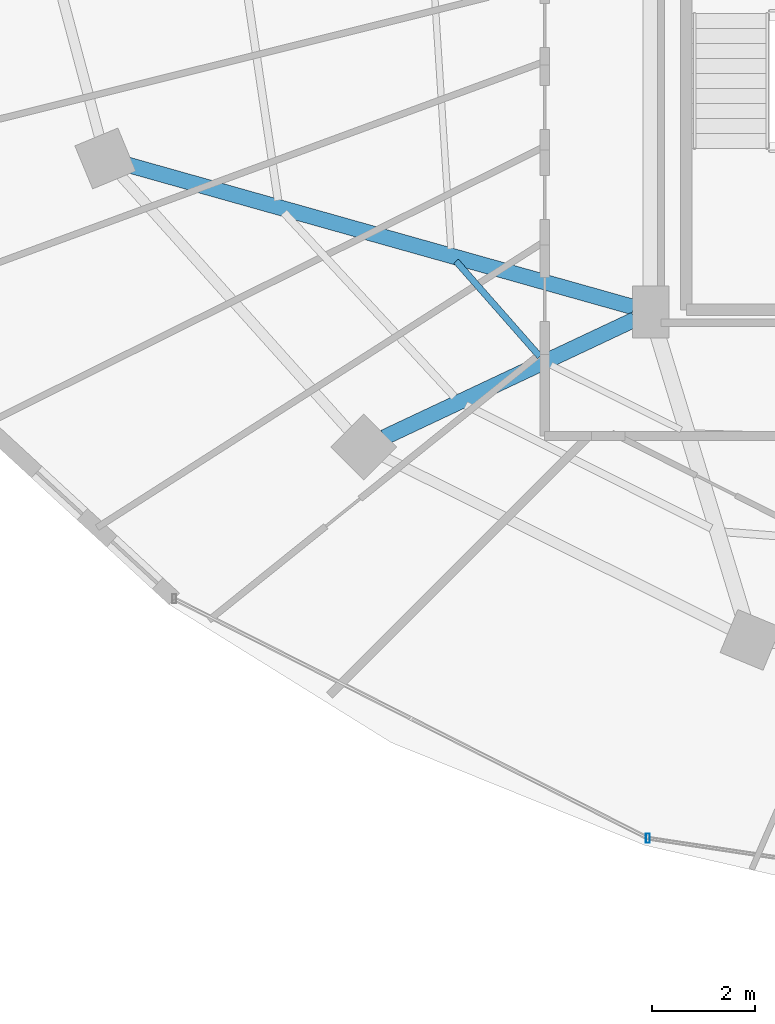
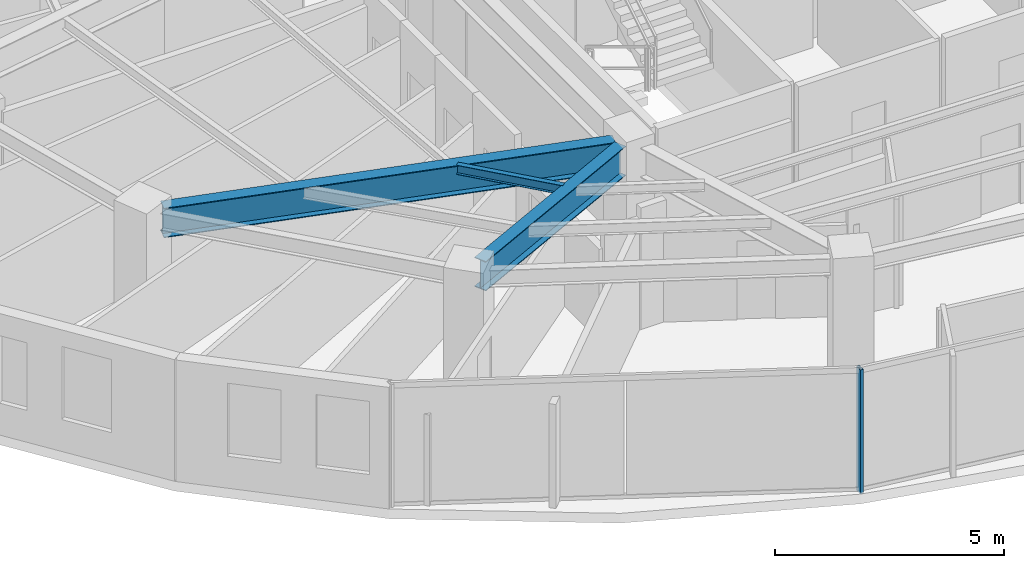
# One storey, part 3 of 33: 3 beams, 1 member, 1 element without a shape of its own.
"""IFC4 building model written with IfcOpenShell, lengths in metres."""

from ifc_helpers import new_model, si_unit, direction, frame, origin, origin_2d, place, context, subcontext, project, spatial, hollow_rectangle, i_section, extrude, material, material_profile, profile_set, type_object, element, aggregate, save


model = new_model("IFC4")

# Units and contexts
model_context = context("Model", 3, precision=1e-05, world=origin(), true_north=direction((0.0, 1.0)))
body_context = subcontext(model_context, "Body", "Model", "MODEL_VIEW")
ifc_project = project(units=[si_unit("LENGTHUNIT", "METRE"), si_unit("AREAUNIT", "SQUARE_METRE"), si_unit("VOLUMEUNIT", "CUBIC_METRE"), si_unit("PLANEANGLEUNIT", "RADIAN"), si_unit("MASSUNIT", "GRAM", prefix="KILO")], contexts=[model_context])

# Site, building, storey
site_placement = place(None, origin())
site = spatial("IfcSite", under=ifc_project, at=site_placement, CompositionType="ELEMENT")
building_placement = place(site_placement, origin())
building = spatial("IfcBuilding", under=site, at=building_placement, Name="Vorneva Point Tower", CompositionType="ELEMENT")
storey_placement = place(building_placement, frame((0.0, 0.0, 189.60009765625)))
storey = spatial("IfcBuildingStorey", under=building, at=storey_placement, Name="L51", CompositionType="ELEMENT", Elevation=189.60009765625)

# Beams
ifc_material_1 = material(Name="Steel S355", Category="steel")
ifc_material_profile_1 = material_profile(ifc_material_1, i_section(OverallWidth=0.300048828125, OverallDepth=0.7880859375, WebThickness=0.014404296875, FlangeThickness=0.02197265625, at=origin_2d()), Name="80Sh1")
ifc_profile_set_1 = profile_set([ifc_material_profile_1], Name="Steel S355")
beam_type_1 = type_object("IfcBeamType", Name="BM-GRD-80Sh1", PredefinedType="USERDEFINED", material=ifc_profile_set_1)
beam_1_placement = place(storey_placement, frame((17.126220703125, 19.299072265625, 2.845947265625), z_axis=(0.962603641144, -0.270913694847, 0.0), x_axis=(0.270913694847, 0.962603641144, 0.0)))
element("IfcBeam", 1, at=beam_1_placement, inside=storey, type_object=beam_type_1, Name="L51 Radial Primary Girder 10", ObjectType="GIRDER", PredefinedType="USERDEFINED", context=body_context, shape_type="SweptSolid", body=[
    extrude(i_section(OverallWidth=0.300048828125, OverallDepth=0.7880859375, WebThickness=0.014404296875, FlangeThickness=0.02197265625, at=origin_2d()), origin(), (0.0, 0.0, 1.0), 10.177001953125),
])
beam_2_placement = place(storey_placement, frame((22.097412109375, 14.0244140625, 2.845947265625), z_axis=(0.904762899762, 0.42591559635, 0.0), x_axis=(-0.42591559635, 0.904762899762, 0.0)))
element("IfcBeam", 2, at=beam_2_placement, inside=storey, type_object=beam_type_1, Name="L51 Radial Primary Girder 11", ObjectType="GIRDER", PredefinedType="USERDEFINED", context=body_context, shape_type="SweptSolid", body=[
    extrude(i_section(OverallWidth=0.300048828125, OverallDepth=0.7880859375, WebThickness=0.014404296875, FlangeThickness=0.02197265625, at=origin_2d()), origin(), (0.0, 0.0, 1.0), 5.35498046875),
])
ifc_material_profile_2 = material_profile(ifc_material_1, i_section(OverallWidth=0.1240234375, OverallDepth=0.248046875, WebThickness=0.0048828125, FlangeThickness=0.008056640625, at=origin_2d()), Name="25B1")
ifc_profile_set_2 = profile_set([ifc_material_profile_2], Name="Steel S355")
beam_type_2 = type_object("IfcBeamType", Name="BM-JST-25B1", PredefinedType="JOIST", material=ifc_profile_set_2)
beam_3_placement = place(storey_placement, frame((23.487060546875, 17.430908203125, 3.115966796875), z_axis=(0.660228577695, -0.7510647277, 0.0), x_axis=(0.7510647277, 0.660228577695, 0.0)))
element("IfcBeam", 3, at=beam_3_placement, inside=storey, type_object=beam_type_2, Name="L51 Secondary Floor Beam 2.10", PredefinedType="JOIST", context=body_context, shape_type="SweptSolid", body=[
    extrude(i_section(OverallWidth=0.1240234375, OverallDepth=0.248046875, WebThickness=0.0048828125, FlangeThickness=0.008056640625, at=origin_2d()), origin(), (0.0, 0.0, 1.0), 2.453857421875),
])

# Curtain wall, member
ifc_material_2 = material(Name="Pale anodised aluminium", Category="aluminium")
curtain_wall_type = type_object("IfcCurtainWallType", Name="CW-RES-SYS", PredefinedType="NOTDEFINED", material=ifc_material_2)
curtain_wall_placement = place(storey_placement, origin())
curtain_wall = element("IfcCurtainWall", 4, at=curtain_wall_placement, inside=storey, type_object=curtain_wall_type, Name="L51 Unitised Curtain Wall CW-L51-R04", PredefinedType="NOTDEFINED")
ifc_material_profile_3 = material_profile(ifc_material_2, hollow_rectangle(XDim=0.074951171875, YDim=0.179931640625, WallThickness=0.00390625, at=origin_2d()), Name="AL-MUL 180x75x4")
ifc_profile_set_3 = profile_set([ifc_material_profile_3], Name="Pale anodised aluminium")
member_type = type_object("IfcMemberType", Name="CW-MUL-180", PredefinedType="MULLION", material=ifc_profile_set_3)
member_placement = place(storey_placement, frame((27.19677734375, 6.275146484375, -0.0400390625), z_axis=(0.0, 0.0, 1.0), x_axis=(1.0, 0.0, 0.0)))
member = element("IfcMember", 5, at=member_placement, type_object=member_type, Name="CW-L51-R04 Mullion 02", PredefinedType="MULLION", context=body_context, shape_type="SweptSolid", body=[
    extrude(hollow_rectangle(XDim=0.074951171875, YDim=0.179931640625, WallThickness=0.00390625, at=origin_2d()), origin(), (0.0, 0.0, 1.0), 3.31005859375),
])
aggregate(curtain_wall, [member])

save(model, "model.ifc")
